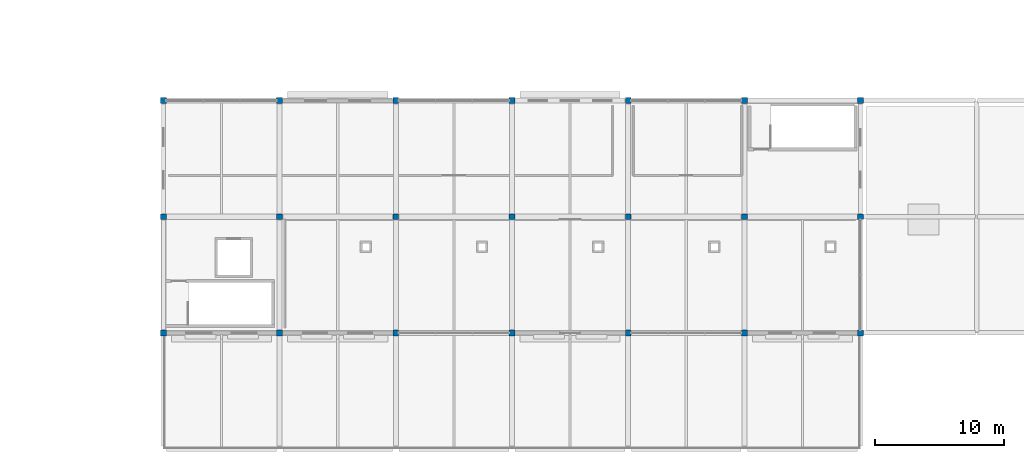
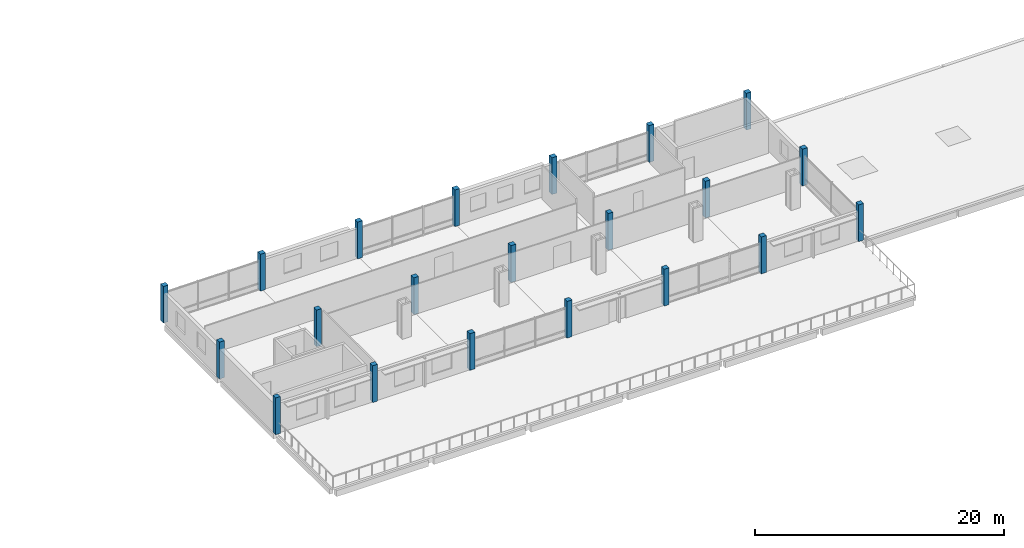
# One storey, part 6 of 163: 21 columns.
"""IFC4 building model written with IfcOpenShell, lengths in metres."""

from ifc_helpers import new_model, si_unit, direction, frame, origin, origin_2d, place, context, subcontext, project, spatial, rectangle, extrude, material, material_profile, profile_set, type_object, element, save


model = new_model("IFC4")

# Units and contexts
model_context = context("Model", 3, precision=1e-05, world=origin(), true_north=direction((0.0, 1.0)))
body_context = subcontext(model_context, "Body", "Model", "MODEL_VIEW")
ifc_project = project(units=[si_unit("LENGTHUNIT", "METRE"), si_unit("AREAUNIT", "SQUARE_METRE"), si_unit("VOLUMEUNIT", "CUBIC_METRE"), si_unit("PLANEANGLEUNIT", "RADIAN"), si_unit("MASSUNIT", "GRAM", prefix="KILO")], contexts=[model_context])

# Site, building, storey
site_placement = place(None, origin())
site = spatial("IfcSite", under=ifc_project, at=site_placement, CompositionType="ELEMENT")
building_placement = place(site_placement, origin())
building = spatial("IfcBuilding", under=site, at=building_placement, Name="Tharagai Park Tramway Depot", CompositionType="ELEMENT")
storey_placement = place(building_placement, frame((0.0, 0.0, 8.39990234375)))
storey = spatial("IfcBuildingStorey", under=building, at=storey_placement, Name="L02", CompositionType="ELEMENT", Elevation=8.39990234375)

# Columns
ifc_material = material(Name="Concrete M40", Category="concrete")
ifc_material_profile = material_profile(ifc_material, rectangle(XDim=0.449951171875, YDim=0.449951171875, at=origin_2d()), Name="RC 450x450")
ifc_profile_set = profile_set([ifc_material_profile], Name="Concrete M40")
column_type = type_object("IfcColumnType", Name="CL-17", PredefinedType="COLUMN", material=ifc_profile_set)
for number, where, z_axis, x_axis, name in (
    (1, (135.0, 9.0, 0.0), (0.0, 0.0, 1.0), (1.0, 0.0, 0.0), "L02 Structural Column CL-17 (135,9)"),
    (2, (135.0, 18.0, 0.0), (0.0, 0.0, 1.0), (1.0, 0.0, 0.0), "L02 Structural Column CL-17 (135,18)"),
    (3, (135.0, 27.0, 0.0), (0.0, 0.0, 1.0), (1.0, 0.0, 0.0), "L02 Structural Column CL-17 (135,27)"),
    (4, (144.0, 9.0, 0.0), (0.0, 0.0, 1.0), (1.0, 0.0, 0.0), "L02 Structural Column CL-17 (144,9)"),
    (5, (144.0, 18.0, 0.0), (0.0, 0.0, 1.0), (1.0, 0.0, 0.0), "L02 Structural Column CL-17 (144,18)"),
    (6, (144.0, 27.0, 0.0), (0.0, 0.0, 1.0), (1.0, 0.0, 0.0), "L02 Structural Column CL-17 (144,27)"),
    (7, (153.0, 9.0, 0.0), (0.0, 0.0, 1.0), (1.0, 0.0, 0.0), "L02 Structural Column CL-17 (153,9)"),
    (8, (153.0, 18.0, 0.0), (0.0, 0.0, 1.0), (1.0, 0.0, 0.0), "L02 Structural Column CL-17 (153,18)"),
    (9, (153.0, 27.0, 0.0), (0.0, 0.0, 1.0), (1.0, 0.0, 0.0), "L02 Structural Column CL-17 (153,27)"),
    (10, (162.0, 9.0, 0.0), (0.0, 0.0, 1.0), (1.0, 0.0, 0.0), "L02 Structural Column CL-17 (162,9)"),
    (11, (162.0, 18.0, 0.0), (0.0, 0.0, 1.0), (1.0, 0.0, 0.0), "L02 Structural Column CL-17 (162,18)"),
    (12, (162.0, 27.0, 0.0), (0.0, 0.0, 1.0), (1.0, 0.0, 0.0), "L02 Structural Column CL-17 (162,27)"),
    (13, (171.0, 9.0, 0.0), (0.0, 0.0, 1.0), (1.0, 0.0, 0.0), "L02 Structural Column CL-17 (171,9)"),
    (14, (171.0, 18.0, 0.0), (0.0, 0.0, 1.0), (1.0, 0.0, 0.0), "L02 Structural Column CL-17 (171,18)"),
    (15, (171.0, 27.0, 0.0), (0.0, 0.0, 1.0), (1.0, 0.0, 0.0), "L02 Structural Column CL-17 (171,27)"),
    (16, (180.0, 9.0, 0.0), (0.0, 0.0, 1.0), (1.0, 0.0, 0.0), "L02 Structural Column CL-17 (180,9)"),
    (17, (180.0, 18.0, 0.0), (0.0, 0.0, 1.0), (1.0, 0.0, 0.0), "L02 Structural Column CL-17 (180,18)"),
    (18, (180.0, 27.0, 0.0), (0.0, 0.0, 1.0), (1.0, 0.0, 0.0), "L02 Structural Column CL-17 (180,27)"),
    (19, (189.0, 9.0, 0.0), (0.0, 0.0, 1.0), (1.0, 0.0, 0.0), "L02 Structural Column CL-17 (189,9)"),
    (20, (189.0, 18.0, 0.0), (0.0, 0.0, 1.0), (1.0, 0.0, 0.0), "L02 Structural Column CL-17 (189,18)"),
    (21, (189.0, 27.0, 0.0), (0.0, 0.0, 1.0), (1.0, 0.0, 0.0), "L02 Structural Column CL-17 (189,27)"),
):
    element("IfcColumn", number, at=place(storey_placement, frame(where, z_axis=z_axis, x_axis=x_axis)), inside=storey, type_object=column_type, Name=name, PredefinedType="COLUMN", context=body_context, shape_type="SweptSolid", body=[
        extrude(rectangle(XDim=0.449951171875, YDim=0.449951171875, at=origin_2d()), origin(), (0.0, 0.0, 1.0), 3.60009765625),
    ])

save(model, "model.ifc")
